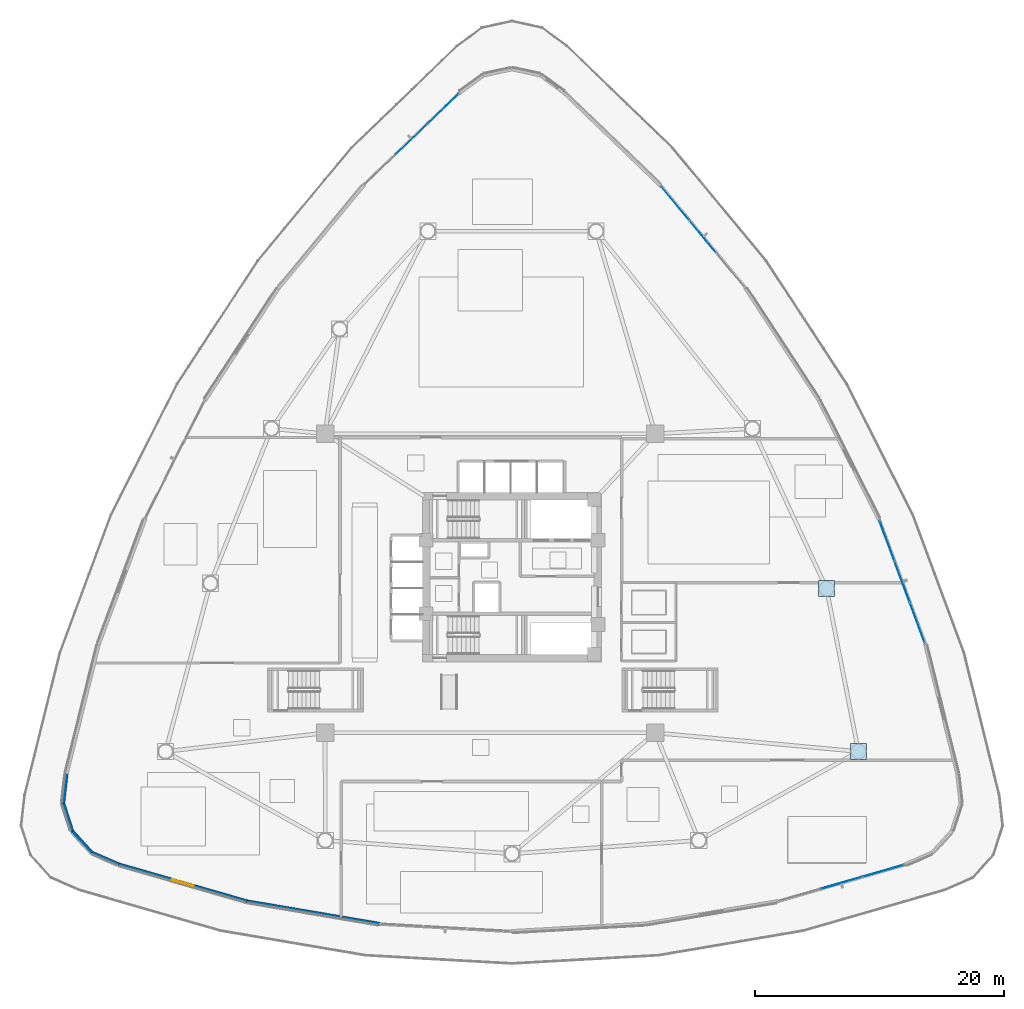
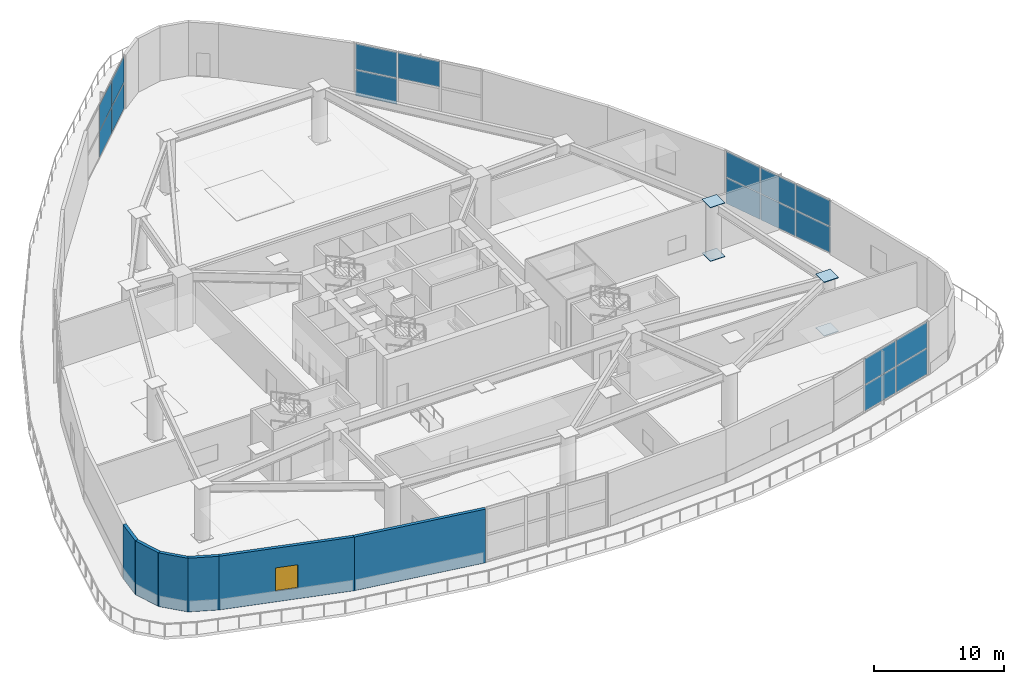
# One storey, part 12 of 25: 21 plates, 6 walls, 1 window, 1 opening, 4 elements without a shape of their own.
"""IFC4 building model written with IfcOpenShell, lengths in metres."""

from ifc_helpers import new_model, si_unit, direction, frame, frame_2d, origin, origin_2d, place, context, subcontext, project, spatial, rectangle, extrude, source, transform, mapped, material, layer, layer_set, type_object, type_shapes, element, fill, aggregate, save


model = new_model("IFC4")

# Units and contexts
model_context = context("Model", 3, precision=1e-05, world=origin(), true_north=direction((0.0, 1.0)))
body_context = subcontext(model_context, "Body", "Model", "MODEL_VIEW")
ifc_project = project(units=[si_unit("LENGTHUNIT", "METRE"), si_unit("AREAUNIT", "SQUARE_METRE"), si_unit("VOLUMEUNIT", "CUBIC_METRE"), si_unit("PLANEANGLEUNIT", "RADIAN"), si_unit("MASSUNIT", "GRAM", prefix="KILO")], contexts=[model_context])

# Site, building, storey
site_placement = place(None, origin())
site = spatial("IfcSite", under=ifc_project, at=site_placement, CompositionType="ELEMENT")
building_placement = place(site_placement, origin())
building = spatial("IfcBuilding", under=site, at=building_placement, Name="Tavelor Broadcast Tower", CompositionType="ELEMENT")
storey_placement = place(building_placement, frame((0.0, 0.0, 11.39990234375)))
storey = spatial("IfcBuildingStorey", under=building, at=storey_placement, Name="L02", CompositionType="ELEMENT", Elevation=11.39990234375)

# Plates
ifc_material_1 = material(Name="Steel S460", Category="steel")
ifc_layer_1 = layer(ifc_material_1, 0.050048828125)
ifc_layer_set_1 = layer_set([ifc_layer_1], Name="Steel S460")
plate_type_1 = type_object("IfcPlateType", Name="Tube Hollow-End Cap Plate KN05 700x700x50", PredefinedType="USERDEFINED", material=ifc_layer_set_1)
shared_shape_1 = source(origin(), body_context, "Body", "SweptSolid", [
    extrude(rectangle(XDim=1.299072265625, YDim=1.299072265625, at=origin_2d()), origin(), (0.0, 0.0, 1.0), 0.054931640625),
])
type_shapes(plate_type_1, [shared_shape_1])
for number, where, z_axis, x_axis, name in (
    (1, (77.800048828125, 31.0, -0.02734375), (0.0, 0.0, 1.0), (1.0, 0.0, 0.0), "L02 Hollow End Cap Plate KN05 #133"),
    (2, (77.800048828125, 31.0, 5.0224609375), (0.0, 0.0, 1.0), (1.0, 0.0, 0.0), "L02 Hollow End Cap Plate KN05 #134"),
    (3, (75.2412109375, 44.070068359375, -0.02734375), (0.0, 0.0, 1.0), (1.0, 0.0, 0.0), "L02 Hollow End Cap Plate KN05 #135"),
    (4, (75.2412109375, 44.070068359375, 5.0224609375), (0.0, 0.0, 1.0), (1.0, 0.0, 0.0), "L02 Hollow End Cap Plate KN05 #136"),
):
    element("IfcPlate", number, at=place(storey_placement, frame(where, z_axis=z_axis, x_axis=x_axis)), inside=storey, type_object=plate_type_1, Name=name, ObjectType="CAP PLATE", PredefinedType="USERDEFINED", context=body_context, shape_type="MappedRepresentation", body=[
        mapped(shared_shape_1, transform((0.0, 0.0, 0.0), scale=1.0)),
    ])

# Curtain wall, plates
ifc_material_2 = material(Name="Architectural Anodized Aluminium", Category="aluminium")
ifc_layer_2 = layer(ifc_material_2, 0.219970703125)
ifc_layer_set_2 = layer_set([ifc_layer_2], Name="Architectural Anodized Aluminium")
curtain_wall_type = type_object("IfcCurtainWallType", Name="Podium Double-Height Broadcast Curtain Wall CW01", PredefinedType="NOTDEFINED", material=ifc_layer_set_2)
curtain_wall_1_placement = place(storey_placement, origin())
curtain_wall_1 = element("IfcCurtainWall", 5, at=curtain_wall_1_placement, inside=storey, type_object=curtain_wall_type, Name="L02 Curtain Wall CW01 Run 7", PredefinedType="NOTDEFINED")
ifc_material_3 = material(Name="Solar Low-E Laminated Glazing 32 mm", Category="glass")
ifc_layer_3 = layer(ifc_material_3, 0.031982421875)
ifc_layer_set_3 = layer_set([ifc_layer_3], Name="Solar Low-E Laminated Glazing 32 mm")
plate_type_2 = type_object("IfcPlateType", Name="CW01 Insulated Vision Glazing Panel 32 mm", PredefinedType="CURTAIN_PANEL", material=ifc_layer_set_3)
shared_shape_2 = source(origin(), body_context, "Body", "SweptSolid", [
    extrude(rectangle(XDim=3.40625, YDim=0.031982421875, at=origin_2d()), origin(), (0.0, 0.0, 1.0), 2.41259765625),
])
plate_1_placement = place(storey_placement, frame((44.4765625, 82.573486328125, 0.074951171875), z_axis=(0.0, 0.0, 1.0), x_axis=(-0.72030987048, -0.693652427725, 0.0)))
plate_1 = element("IfcPlate", 6, at=plate_1_placement, type_object=plate_type_2, Name="CW01 panel 1.1", PredefinedType="CURTAIN_PANEL", context=body_context, shape_type="MappedRepresentation", body=[
    mapped(shared_shape_2, transform((0.0, 0.0, 0.0), scale=1.0)),
])
plate_2_placement = place(storey_placement, frame((44.4765625, 82.573486328125, 2.5625), z_axis=(0.0, 0.0, 1.0), x_axis=(-0.72030987048, -0.693652427725, 0.0)))
plate_2 = element("IfcPlate", 7, at=plate_2_placement, type_object=plate_type_2, Name="CW01 panel 1.2", PredefinedType="CURTAIN_PANEL", context=body_context, shape_type="MappedRepresentation", body=[
    mapped(shared_shape_2, transform((0.0, 0.0, 0.0), scale=1.0)),
])

curtain_wall_2_placement = place(storey_placement, origin())
curtain_wall_2 = element("IfcCurtainWall", 8, at=curtain_wall_2_placement, inside=storey, type_object=curtain_wall_type, Name="L02 Curtain Wall CW01 Run 10", PredefinedType="NOTDEFINED")
plate_3_placement = place(storey_placement, frame((79.77783203125, 21.4296875, 0.074951171875), z_axis=(0.0, 0.0, 1.0), x_axis=(0.960876405669, 0.276977495528, 0.0)))
plate_3 = element("IfcPlate", 9, at=plate_3_placement, type_object=plate_type_2, Name="CW01 panel 3.1", PredefinedType="CURTAIN_PANEL", context=body_context, shape_type="MappedRepresentation", body=[
    mapped(shared_shape_2, transform((0.0, 0.0, 0.0), scale=1.0)),
])
plate_4_placement = place(storey_placement, frame((79.77783203125, 21.4296875, 2.5625), z_axis=(0.0, 0.0, 1.0), x_axis=(0.960876405669, 0.276977495528, 0.0)))
plate_4 = element("IfcPlate", 10, at=plate_4_placement, type_object=plate_type_2, Name="CW01 panel 3.2", PredefinedType="CURTAIN_PANEL", context=body_context, shape_type="MappedRepresentation", body=[
    mapped(shared_shape_2, transform((0.0, 0.0, 0.0), scale=1.0)),
])

# Plate
shared_shape_3 = source(origin(), body_context, "Body", "SweptSolid", [
    extrude(rectangle(XDim=3.443603515625, YDim=0.031982421875, at=origin_2d()), origin(), (0.0, 0.0, 1.0), 2.41259765625),
])
plate_5_placement = place(storey_placement, frame((41.95556640625, 80.145751953125, 0.074951171875), z_axis=(0.0, 0.0, 1.0), x_axis=(-0.72030987048, -0.693652427725, 0.0)))
plate_5 = element("IfcPlate", 11, at=plate_5_placement, type_object=plate_type_2, Name="CW01 panel 2.1", PredefinedType="CURTAIN_PANEL", context=body_context, shape_type="MappedRepresentation", body=[
    mapped(shared_shape_3, transform((0.0, 0.0, 0.0), scale=1.0)),
])

plate_6_placement = place(storey_placement, frame((41.95556640625, 80.145751953125, 2.5625), z_axis=(0.0, 0.0, 1.0), x_axis=(-0.72030987048, -0.693652427725, 0.0)))
plate_6 = element("IfcPlate", 12, at=plate_6_placement, type_object=plate_type_2, Name="CW01 panel 2.2", PredefinedType="CURTAIN_PANEL", context=body_context, shape_type="MappedRepresentation", body=[
    mapped(shared_shape_3, transform((0.0, 0.0, 0.0), scale=1.0)),
])

aggregate(curtain_wall_1, [plate_1, plate_2, plate_5, plate_6])

plate_7_placement = place(storey_placement, frame((76.414794921875, 20.46044921875, 0.074951171875), z_axis=(0.0, 0.0, 1.0), x_axis=(0.960876405669, 0.276977495528, 0.0)))
plate_7 = element("IfcPlate", 13, at=plate_7_placement, type_object=plate_type_2, Name="CW01 panel 2.1", PredefinedType="CURTAIN_PANEL", context=body_context, shape_type="MappedRepresentation", body=[
    mapped(shared_shape_3, transform((0.0, 0.0, 0.0), scale=1.0)),
])

plate_8_placement = place(storey_placement, frame((76.414794921875, 20.46044921875, 2.5625), z_axis=(0.0, 0.0, 1.0), x_axis=(0.960876405669, 0.276977495528, 0.0)))
plate_8 = element("IfcPlate", 14, at=plate_8_placement, type_object=plate_type_2, Name="CW01 panel 2.2", PredefinedType="CURTAIN_PANEL", context=body_context, shape_type="MappedRepresentation", body=[
    mapped(shared_shape_3, transform((0.0, 0.0, 0.0), scale=1.0)),
])

aggregate(curtain_wall_2, [plate_7, plate_8, plate_3, plate_4])

# Curtain wall, plates
curtain_wall_3_placement = place(storey_placement, origin())
curtain_wall_3 = element("IfcCurtainWall", 15, at=curtain_wall_3_placement, inside=storey, type_object=curtain_wall_type, Name="L02 Curtain Wall CW01 Run 11", PredefinedType="NOTDEFINED")
shared_shape_4 = source(origin(), body_context, "Body", "SweptSolid", [
    extrude(rectangle(XDim=3.40673828125, YDim=0.031982421875, at=origin_2d()), origin(), (0.0, 0.0, 1.0), 2.41259765625),
])
plate_9_placement = place(storey_placement, frame((82.524169921875, 41.3369140625, 0.074951171875), z_axis=(0.0, 0.0, 1.0), x_axis=(-0.347794333608, 0.937570851461, 0.0)))
plate_9 = element("IfcPlate", 16, at=plate_9_placement, type_object=plate_type_2, Name="CW01 panel 1.1", PredefinedType="CURTAIN_PANEL", context=body_context, shape_type="MappedRepresentation", body=[
    mapped(shared_shape_4, transform((0.0, 0.0, 0.0), scale=1.0)),
])
plate_10_placement = place(storey_placement, frame((82.524169921875, 41.3369140625, 2.5625), z_axis=(0.0, 0.0, 1.0), x_axis=(-0.347794333608, 0.937570851461, 0.0)))
plate_10 = element("IfcPlate", 17, at=plate_10_placement, type_object=plate_type_2, Name="CW01 panel 1.2", PredefinedType="CURTAIN_PANEL", context=body_context, shape_type="MappedRepresentation", body=[
    mapped(shared_shape_4, transform((0.0, 0.0, 0.0), scale=1.0)),
])
plate_11_placement = place(storey_placement, frame((80.08935546875, 47.900634765625, 0.074951171875), z_axis=(0.0, 0.0, 1.0), x_axis=(-0.347794333608, 0.937570851461, 0.0)))
plate_11 = element("IfcPlate", 18, at=plate_11_placement, type_object=plate_type_2, Name="CW01 panel 3.1", PredefinedType="CURTAIN_PANEL", context=body_context, shape_type="MappedRepresentation", body=[
    mapped(shared_shape_4, transform((0.0, 0.0, 0.0), scale=1.0)),
])
plate_12_placement = place(storey_placement, frame((80.08935546875, 47.900634765625, 2.5625), z_axis=(0.0, 0.0, 1.0), x_axis=(-0.347794333608, 0.937570851461, 0.0)))
plate_12 = element("IfcPlate", 19, at=plate_12_placement, type_object=plate_type_2, Name="CW01 panel 3.2", PredefinedType="CURTAIN_PANEL", context=body_context, shape_type="MappedRepresentation", body=[
    mapped(shared_shape_4, transform((0.0, 0.0, 0.0), scale=1.0)),
])

curtain_wall_4_placement = place(storey_placement, origin())
curtain_wall_4 = element("IfcCurtainWall", 20, at=curtain_wall_4_placement, inside=storey, type_object=curtain_wall_type, Name="L02 Curtain Wall CW01 Run 12", PredefinedType="NOTDEFINED")
plate_13_placement = place(storey_placement, frame((63.08984375, 74.998046875, 0.074951171875), z_axis=(0.0, 0.0, 1.0), x_axis=(-0.638065200833, 0.769982337126, 0.0)))
plate_13 = element("IfcPlate", 21, at=plate_13_placement, type_object=plate_type_2, Name="CW01 panel 3.1", PredefinedType="CURTAIN_PANEL", context=body_context, shape_type="MappedRepresentation", body=[
    mapped(shared_shape_4, transform((0.0, 0.0, 0.0), scale=1.0)),
])
plate_14_placement = place(storey_placement, frame((63.08984375, 74.998046875, 2.5625), z_axis=(0.0, 0.0, 1.0), x_axis=(-0.638065200833, 0.769982337126, 0.0)))
plate_14 = element("IfcPlate", 22, at=plate_14_placement, type_object=plate_type_2, Name="CW01 panel 3.2", PredefinedType="CURTAIN_PANEL", context=body_context, shape_type="MappedRepresentation", body=[
    mapped(shared_shape_4, transform((0.0, 0.0, 0.0), scale=1.0)),
])

# Plate
shared_shape_5 = source(origin(), body_context, "Body", "SweptSolid", [
    extrude(rectangle(XDim=3.444091796875, YDim=0.031982421875, at=origin_2d()), origin(), (0.0, 0.0, 1.0), 2.41259765625),
])
type_shapes(plate_type_2, [shared_shape_2, shared_shape_3, shared_shape_4, shared_shape_5])
plate_15_placement = place(storey_placement, frame((81.306640625, 44.618896484375, 0.074951171875), z_axis=(0.0, 0.0, 1.0), x_axis=(-0.347794333608, 0.937570851461, 0.0)))
plate_15 = element("IfcPlate", 23, at=plate_15_placement, type_object=plate_type_2, Name="CW01 panel 2.1", PredefinedType="CURTAIN_PANEL", context=body_context, shape_type="MappedRepresentation", body=[
    mapped(shared_shape_5, transform((0.0, 0.0, 0.0), scale=1.0)),
])

plate_16_placement = place(storey_placement, frame((81.306640625, 44.618896484375, 2.5625), z_axis=(0.0, 0.0, 1.0), x_axis=(-0.347794333608, 0.937570851461, 0.0)))
plate_16 = element("IfcPlate", 24, at=plate_16_placement, type_object=plate_type_2, Name="CW01 panel 2.2", PredefinedType="CURTAIN_PANEL", context=body_context, shape_type="MappedRepresentation", body=[
    mapped(shared_shape_5, transform((0.0, 0.0, 0.0), scale=1.0)),
])

aggregate(curtain_wall_3, [plate_9, plate_10, plate_15, plate_16, plate_11, plate_12])

plate_17_placement = place(storey_placement, frame((65.3232421875, 72.302978515625, 2.5625), z_axis=(0.0, 0.0, 1.0), x_axis=(-0.638065200833, 0.769982337126, 0.0)))
plate_17 = element("IfcPlate", 25, at=plate_17_placement, type_object=plate_type_2, Name="CW01 panel 2.2", PredefinedType="CURTAIN_PANEL", context=body_context, shape_type="MappedRepresentation", body=[
    mapped(shared_shape_5, transform((0.0, 0.0, 0.0), scale=1.0)),
])

aggregate(curtain_wall_4, [plate_17, plate_13, plate_14])

# Walls
ifc_material_4 = material(Name="Precast Concrete C40/50", Category="concrete")
ifc_layer_4 = layer(ifc_material_4, 0.280029296875)
ifc_layer_set_4 = layer_set([ifc_layer_4], Name="Precast Concrete C40/50")
wall_type = type_object("IfcWallType", Name="Insulated Precast Terracotta Facade Wall 280 mm", PredefinedType="STANDARD", material=ifc_layer_set_4)
wall_1_placement = place(storey_placement, frame((14.25341796875, 29.208251953125, 0.0), z_axis=(0.0, 0.0, 1.0), x_axis=(-0.112359618556, -0.993667608468, 0.0)))
element("IfcWall", 26, at=wall_1_placement, inside=storey, type_object=wall_type, Name="L02 Precast Terracotta Facade Wall 11", PredefinedType="STANDARD", context=body_context, shape_type="SweptSolid", body=[
    extrude(rectangle(XDim=2.39013671875, YDim=0.280029296875, at=frame_2d((1.195068359375, 0.0))), origin(), (0.0, 0.0, 1.0), 5.050048828125),
])
wall_2_placement = place(storey_placement, frame((13.98193359375, 26.8623046875, 0.0), z_axis=(0.0, 0.0, 1.0), x_axis=(0.30659625248, -0.951839659799, 0.0)))
element("IfcWall", 27, at=wall_2_placement, inside=storey, type_object=wall_type, Name="L02 Precast Terracotta Facade Wall 12", PredefinedType="STANDARD", context=body_context, shape_type="SweptSolid", body=[
    extrude(rectangle(XDim=2.368896484375, YDim=0.280029296875, at=frame_2d((1.1845703125, 0.0))), origin(), (0.0, 0.0, 1.0), 5.050048828125),
])
wall_3_placement = place(storey_placement, frame((14.693603515625, 24.6328125, 0.0), z_axis=(0.0, 0.0, 1.0), x_axis=(0.670983479807, -0.741472298758, 0.0)))
element("IfcWall", 28, at=wall_3_placement, inside=storey, type_object=wall_type, Name="L02 Precast Terracotta Facade Wall 13", PredefinedType="STANDARD", context=body_context, shape_type="SweptSolid", body=[
    extrude(rectangle(XDim=2.369140625, YDim=0.280029296875, at=frame_2d((1.1845703125, 0.0))), origin(), (0.0, 0.0, 1.0), 5.050048828125),
])
wall_4_placement = place(storey_placement, frame((16.259521484375, 22.893310546875, 0.0), z_axis=(0.0, 0.0, 1.0), x_axis=(0.916740089729, -0.399484177263, 0.0)))
element("IfcWall", 29, at=wall_4_placement, inside=storey, type_object=wall_type, Name="L02 Precast Terracotta Facade Wall 14", PredefinedType="STANDARD", context=body_context, shape_type="SweptSolid", body=[
    extrude(rectangle(XDim=2.39013671875, YDim=0.280029296875, at=frame_2d((1.195068359375, 0.0))), origin(), (0.0, 0.0, 1.0), 5.050048828125),
])

# Wall, opening, window
wall_5_placement = place(storey_placement, frame((18.42236328125, 21.948486328125, 0.0), z_axis=(0.0, 0.0, 1.0), x_axis=(0.960879186565, -0.276967848002, 0.0)))
wall_5 = element("IfcWall", 30, at=wall_5_placement, inside=storey, type_object=wall_type, Name="L02 Precast Terracotta Facade Wall 15", PredefinedType="STANDARD", context=body_context, shape_type="SweptSolid", body=[
    extrude(rectangle(XDim=10.74609375, YDim=0.280029296875, at=frame_2d((5.373046875, 0.0))), origin(), (0.0, 0.0, 1.0), 5.050048828125),
])
opening_placement = place(wall_5_placement, frame((4.47314453125, 0.0, 1.0)))
opening = element("IfcOpeningElement", 31, at=opening_placement, cuts=wall_5, Name="Opening WN11", PredefinedType="OPENING", context=body_context, shape_type="SweptSolid", body=[
    extrude(rectangle(XDim=1.800048828125, YDim=2.199951171875, at=frame_2d((0.89990234375, 1.10009765625))), frame((0.0, 0.14990234375, 0.0), z_axis=(0.0, -1.0, 0.0), x_axis=(1.0, 0.0, 0.0)), (0.0, 0.0, 1.0), 0.300048828125),
])
ifc_material_5 = material(Name="Acoustic Double Glazing 28 mm", Category="glass")
window_type = type_object("IfcWindowType", Name="Podium Studio Acoustic Punched Window 1800x2200", PartitioningType="SINGLE_PANEL", PredefinedType="WINDOW", material=ifc_material_5)
window_placement = place(opening_placement, origin())
window = element("IfcWindow", 32, at=window_placement, inside=storey, type_object=window_type, Name="L02 Broadcast Facade Window 15", OverallHeight=2.199951171875, OverallWidth=1.800048828125, PartitioningType="SINGLE_PANEL", PredefinedType="WINDOW", context=body_context, shape_type="SweptSolid", body=[
    extrude(rectangle(XDim=1.800048828125, YDim=2.199951171875, at=frame_2d((0.89990234375, 1.10009765625))), frame((0.0, 0.030029296875, 0.0), z_axis=(0.0, -1.0, 0.0), x_axis=(1.0, 0.0, 0.0)), (0.0, 0.0, 1.0), 0.06005859375),
])
fill(opening, window)

# Wall
wall_6_placement = place(storey_placement, frame((28.718994140625, 18.978759765625, 0.0), z_axis=(0.0, 0.0, 1.0), x_axis=(0.985856929161, -0.167589126212, 0.0)))
element("IfcWall", 33, at=wall_6_placement, inside=storey, type_object=wall_type, Name="L02 Precast Terracotta Facade Wall 16", PredefinedType="STANDARD", context=body_context, shape_type="SweptSolid", body=[
    extrude(rectangle(XDim=10.806396484375, YDim=0.280029296875, at=frame_2d((5.4033203125, 0.0))), origin(), (0.0, 0.0, 1.0), 5.050048828125),
])

save(model, "model.ifc")
